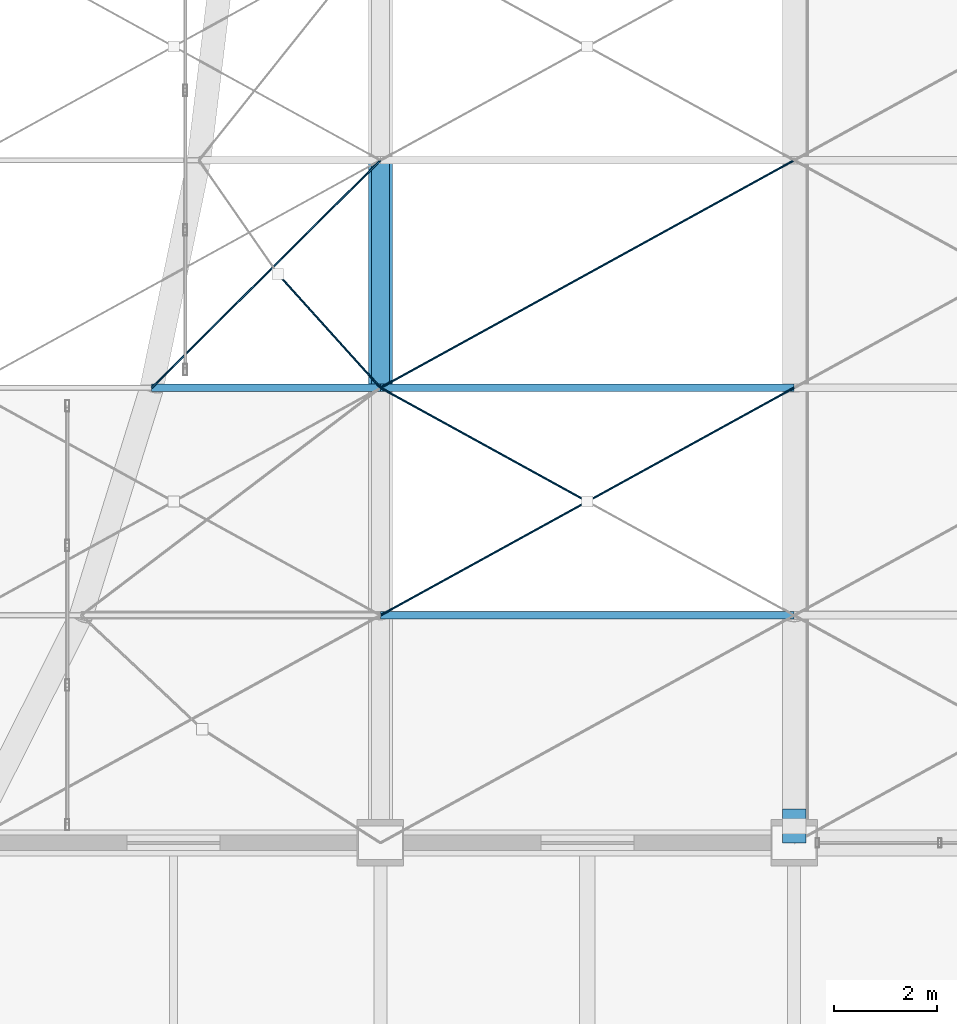
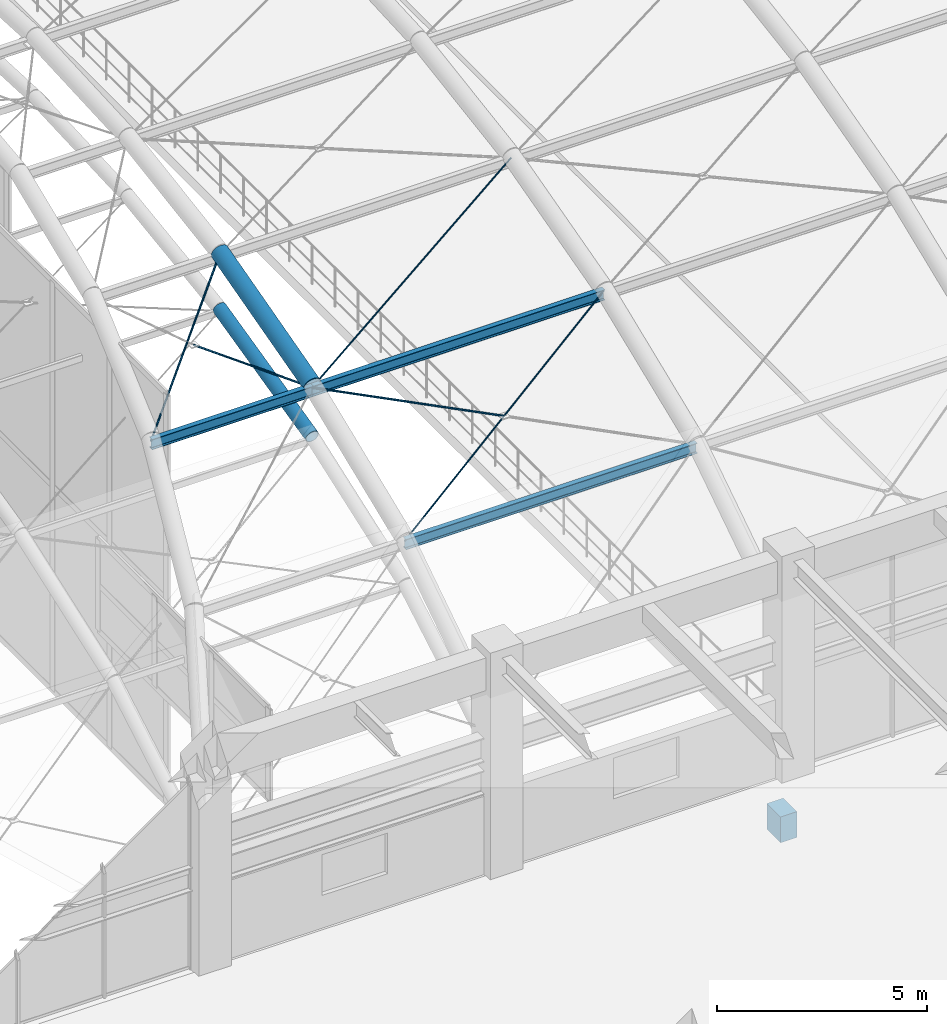
# One storey, part 19 of 163: 6 beams, 5 members.
"""IFC4 building model written with IfcOpenShell, lengths in metres."""

from ifc_helpers import new_model, si_unit, direction, frame, origin, origin_2d, place, context, subcontext, project, spatial, rectangle, circle, hollow_circle, i_section, extrude, material, material_profile, profile_set, type_object, element, save


model = new_model("IFC4")

# Units and contexts
model_context = context("Model", 3, precision=1e-05, world=origin(), true_north=direction((0.0, 1.0)))
body_context = subcontext(model_context, "Body", "Model", "MODEL_VIEW")
ifc_project = project(units=[si_unit("LENGTHUNIT", "METRE"), si_unit("AREAUNIT", "SQUARE_METRE"), si_unit("VOLUMEUNIT", "CUBIC_METRE"), si_unit("PLANEANGLEUNIT", "RADIAN"), si_unit("MASSUNIT", "GRAM", prefix="KILO")], contexts=[model_context])

# Site, building, storey
site_placement = place(None, origin())
site = spatial("IfcSite", under=ifc_project, at=site_placement, CompositionType="ELEMENT")
building_placement = place(site_placement, origin())
building = spatial("IfcBuilding", under=site, at=building_placement, Name="Varnabhumi Central Station", CompositionType="ELEMENT")
storey_placement = place(building_placement, frame((0.0, 0.0, 9.60009765625)))
storey = spatial("IfcBuildingStorey", under=building, at=storey_placement, Name="L02", CompositionType="ELEMENT", Elevation=9.60009765625)

# Beams
ifc_material_1 = material(Name="Structural steel E350", Category="steel")
ifc_material_profile_1 = material_profile(ifc_material_1, hollow_circle(Radius=0.177734375, WallThickness=0.012451171875, at=origin_2d()), Name="Structural steel E350", Category="steel")
ifc_profile_set_1 = profile_set([ifc_material_profile_1], Name="Structural steel E350")
beam_type_1 = type_object("IfcBeamType", Name="BM-ARCH-CHS355", PredefinedType="BEAM", material=ifc_profile_set_1)
beam_1_placement = place(storey_placement, frame((48.0, 44.800048828125, 7.127685546875), z_axis=(0.0, 0.972451917694, 0.2331035559), x_axis=(-1.0, 0.0, 0.0)))
element("IfcBeam", 1, at=beam_1_placement, inside=storey, type_object=beam_type_1, Name="Entrance Portico Vault Arch Rib 5 Seg 3", PredefinedType="BEAM", context=body_context, shape_type="SweptSolid", body=[
    extrude(hollow_circle(Radius=0.177734375, WallThickness=0.012451171875, at=origin_2d()), origin(), (0.0, 0.0, 1.0), 4.524658203125),
])
ifc_material_2 = material(Name="Structural steel E450", Category="steel")
ifc_material_profile_2 = material_profile(ifc_material_2, hollow_circle(Radius=0.228515625, WallThickness=0.01611328125, at=origin_2d()), Name="Structural steel E450", Category="steel")
ifc_profile_set_2 = profile_set([ifc_material_profile_2], Name="Structural steel E450")
beam_type_2 = type_object("IfcBeamType", Name="BM-ARCH-CHS457", PredefinedType="BEAM", material=ifc_profile_set_2)
beam_2_placement = place(storey_placement, frame((48.0, 44.800048828125, 8.6279296875), z_axis=(0.0, 0.965022848722, 0.262165789998), x_axis=(-1.0, 0.0, 0.0)))
element("IfcBeam", 2, at=beam_2_placement, inside=storey, type_object=beam_type_2, Name="Ticket Hall Vault Arch Rib 2 Seg 3", PredefinedType="BEAM", context=body_context, shape_type="SweptSolid", body=[
    extrude(hollow_circle(Radius=0.228515625, WallThickness=0.01611328125, at=origin_2d()), origin(), (0.0, 0.0, 1.0), 4.559326171875),
])
ifc_material_profile_3 = material_profile(ifc_material_1, i_section(OverallWidth=0.139892578125, OverallDepth=0.300048828125, WebThickness=0.0078125, FlangeThickness=0.01318359375, FilletRadius=0.013916015625, at=origin_2d()), Name="Structural steel E350", Category="steel")
ifc_profile_set_3 = profile_set([ifc_material_profile_3], Name="Structural steel E350")
beam_type_3 = type_object("IfcBeamType", Name="BM-PUR-ISMB300", PredefinedType="LINTEL", material=ifc_profile_set_3)
beam_3_placement = place(storey_placement, frame((43.577392578125, 44.800048828125, 8.477783203125), z_axis=(1.0, 0.0, 0.0), x_axis=(0.0, 1.0, 0.0)))
element("IfcBeam", 3, at=beam_3_placement, inside=storey, type_object=beam_type_3, Name="Ticket Hall Vault Purlin B1-L2", PredefinedType="LINTEL", context=body_context, shape_type="SweptSolid", body=[
    extrude(i_section(OverallWidth=0.139892578125, OverallDepth=0.300048828125, WebThickness=0.0078125, FlangeThickness=0.01318359375, FilletRadius=0.013916015625, at=origin_2d()), origin(), (0.0, 0.0, 1.0), 4.422607421875),
])
for number, where, z_axis, x_axis, name in (
    (4, (48.0, 40.39990234375, 6.695068359375), (1.0, 0.0, 0.0), (0.0, 1.0, 0.0), "Ticket Hall Vault Purlin B2-L1"),
    (5, (48.0, 44.800048828125, 8.477783203125), (1.0, 0.0, 0.0), (0.0, 1.0, 0.0), "Ticket Hall Vault Purlin B2-L2"),
):
    element("IfcBeam", number, at=place(storey_placement, frame(where, z_axis=z_axis, x_axis=x_axis)), inside=storey, type_object=beam_type_3, Name=name, PredefinedType="LINTEL", context=body_context, shape_type="SweptSolid", body=[
        extrude(i_section(OverallWidth=0.139892578125, OverallDepth=0.300048828125, WebThickness=0.0078125, FlangeThickness=0.01318359375, FilletRadius=0.013916015625, at=origin_2d()), origin(), (0.0, 0.0, 1.0), 8.0),
    ])
ifc_material_3 = material(Name="Concrete M40", Category="concrete")
ifc_material_profile_4 = material_profile(ifc_material_3, rectangle(XDim=0.449951171875, YDim=0.75, at=origin_2d()), Name="Concrete M40", Category="concrete")
ifc_profile_set_4 = profile_set([ifc_material_profile_4], Name="Concrete M40")
beam_type_4 = type_object("IfcBeamType", Name="BM-RC-450x750", PredefinedType="BEAM", material=ifc_profile_set_4)
beam_4_placement = place(storey_placement, frame((56.0, 36.0, -1.675048828125), z_axis=(0.0, 1.0, 0.0), x_axis=(-1.0, 0.0, 0.0)))
element("IfcBeam", 6, at=beam_4_placement, inside=storey, type_object=beam_type_4, Name="Concourse Bridge 650mm Corbel Seat 56-S", PredefinedType="BEAM", context=body_context, shape_type="SweptSolid", body=[
    extrude(rectangle(XDim=0.449951171875, YDim=0.75, at=origin_2d()), origin(), (0.0, 0.0, 1.0), 0.64990234375),
])

# Members
ifc_material_4 = material(Name="Spiral-strand steel S1570", Category="steel")
ifc_material_profile_5 = material_profile(ifc_material_4, circle(Radius=0.02099609375, at=origin_2d()), Name="Spiral-strand steel S1570", Category="steel")
ifc_profile_set_5 = profile_set([ifc_material_profile_5], Name="Spiral-strand steel S1570")
member_type = type_object("IfcMemberType", Name="MBR-CABLE-D42", PredefinedType="USERDEFINED", material=ifc_profile_set_5)
member_1_placement = place(storey_placement, frame((43.577392578125, 44.800048828125, 8.5478515625), z_axis=(0.696253896653, 0.692679421777, 0.188217241618), x_axis=(-0.70528467831, 0.708924200843, 0.0)))
element("IfcMember", 7, at=member_1_placement, inside=storey, type_object=member_type, Name="Ticket Hall Vault Cable-Net Tie B1-P3A", ObjectType="TENSION CABLE", PredefinedType="USERDEFINED", context=body_context, shape_type="SweptSolid", body=[
    extrude(circle(Radius=0.02099609375, at=origin_2d()), origin(), (0.0, 0.0, 1.0), 6.35205078125),
])
member_2_placement = place(storey_placement, frame((46.01708984375, 47.0, 9.1455078125), z_axis=(0.656286626465, -0.72812100358, -0.197807148681), x_axis=(0.742797981538, 0.669515614921, 0.0)))
element("IfcMember", 8, at=member_2_placement, inside=storey, type_object=member_type, Name="Ticket Hall Vault Cable-Net Split Tie B1-P3B2", ObjectType="TENSION CABLE", PredefinedType="USERDEFINED", context=body_context, shape_type="SweptSolid", body=[
    extrude(circle(Radius=0.02099609375, at=origin_2d()), origin(), (0.0, 0.0, 1.0), 3.021484375),
])
member_3_placement = place(storey_placement, frame((48.0, 40.39990234375, 6.764892578125), z_axis=(0.859965363866, 0.472996696562, 0.19166037147), x_axis=(-0.481931067474, 0.876209133828, 0.0)))
element("IfcMember", 9, at=member_3_placement, inside=storey, type_object=member_type, Name="Ticket Hall Vault Cable-Net Tie B2-P2A", ObjectType="TENSION CABLE", PredefinedType="USERDEFINED", context=body_context, shape_type="SweptSolid", body=[
    extrude(circle(Radius=0.02099609375, at=origin_2d()), origin(), (0.0, 0.0, 1.0), 9.302734375),
])
member_4_placement = place(storey_placement, frame((48.0, 44.800048828125, 8.5478515625), z_axis=(0.8599803643, -0.472978702558, -0.191637470096), x_axis=(0.481910537812, 0.876220425204, 0.0)))
element("IfcMember", 10, at=member_4_placement, inside=storey, type_object=member_type, Name="Ticket Hall Vault Cable-Net Split Tie B2-P2B1", ObjectType="TENSION CABLE", PredefinedType="USERDEFINED", context=body_context, shape_type="SweptSolid", body=[
    extrude(circle(Radius=0.02099609375, at=origin_2d()), origin(), (0.0, 0.0, 1.0), 4.6513671875),
])
member_5_placement = place(storey_placement, frame((48.0, 44.800048828125, 8.5478515625), z_axis=(0.868803417008, 0.477831273844, 0.129837961825), x_axis=(-0.481910537812, 0.876220425204, 0.0)))
element("IfcMember", 11, at=member_5_placement, inside=storey, type_object=member_type, Name="Ticket Hall Vault Cable-Net Tie B2-P3A", ObjectType="TENSION CABLE", PredefinedType="USERDEFINED", context=body_context, shape_type="SweptSolid", body=[
    extrude(circle(Radius=0.02099609375, at=origin_2d()), origin(), (0.0, 0.0, 1.0), 9.2080078125),
])

save(model, "model.ifc")
